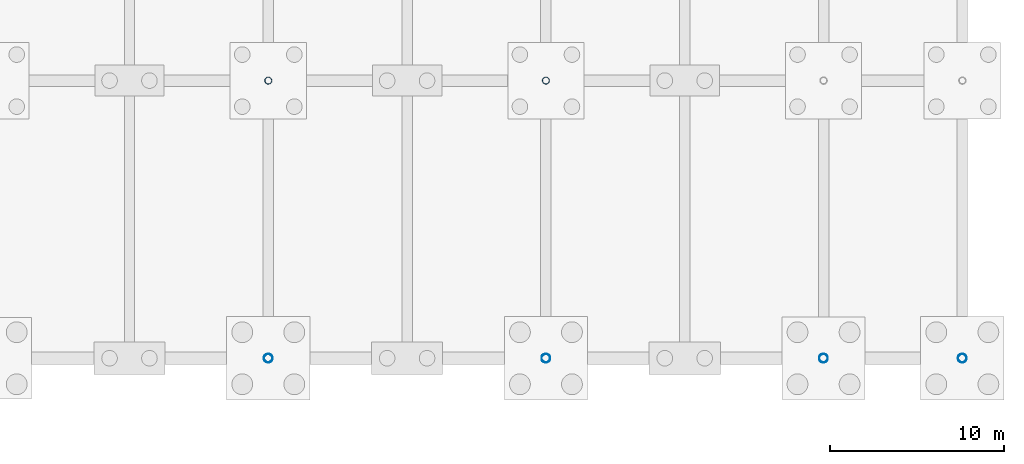
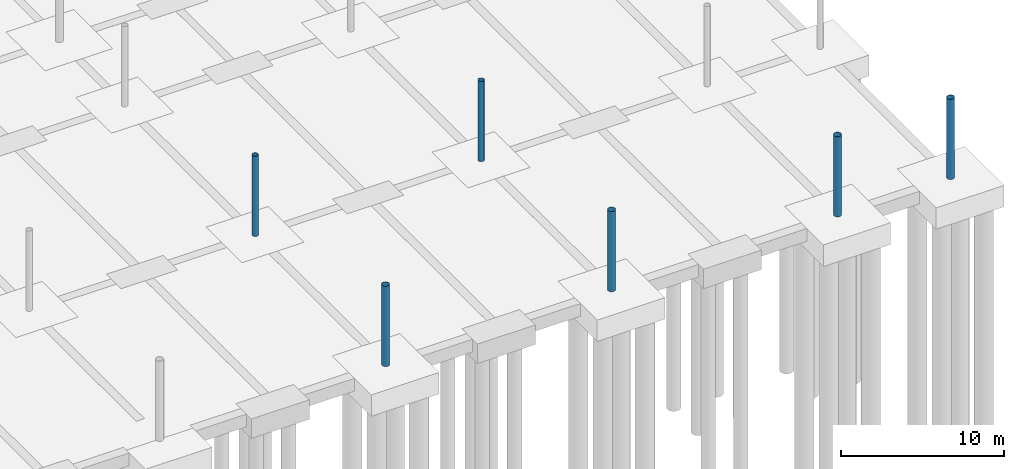
# One storey, part 21 of 82: 6 columns.
"""IFC4 building model written with IfcOpenShell, lengths in metres."""

from ifc_helpers import new_model, si_unit, direction, frame, origin, origin_2d, place, context, subcontext, project, spatial, hollow_circle, extrude, material, material_profile, profile_set, type_object, element, save


model = new_model("IFC4")

# Units and contexts
model_context = context("Model", 3, precision=1e-05, world=origin(), true_north=direction((0.0, 1.0)))
body_context = subcontext(model_context, "Body", "Model", "MODEL_VIEW")
ifc_project = project(units=[si_unit("LENGTHUNIT", "METRE"), si_unit("AREAUNIT", "SQUARE_METRE"), si_unit("VOLUMEUNIT", "CUBIC_METRE"), si_unit("PLANEANGLEUNIT", "RADIAN"), si_unit("MASSUNIT", "GRAM", prefix="KILO")], contexts=[model_context])

# Site, building, storey
site_placement = place(None, origin())
site = spatial("IfcSite", under=ifc_project, at=site_placement, CompositionType="ELEMENT")
building_placement = place(site_placement, origin())
building = spatial("IfcBuilding", under=site, at=building_placement, Name="Drelvath Fold Interchange", CompositionType="ELEMENT")
storey_placement = place(building_placement, origin())
storey = spatial("IfcBuildingStorey", under=building, at=storey_placement, Name="L00", CompositionType="ELEMENT", Elevation=0.0)

# Columns
ifc_material = material(Name="Steel ASTM A500 Grade C", Category="steel")
ifc_material_profile_1 = material_profile(ifc_material, hollow_circle(Radius=0.25390625, WallThickness=0.014892578125, at=origin_2d()), Name="HSS20.000X0.625")
ifc_profile_set_1 = profile_set([ifc_material_profile_1], Name="Steel ASTM A500 Grade C")
column_type_1 = type_object("IfcColumnType", Name="COL-CFT508", PredefinedType="COLUMN", material=ifc_profile_set_1)
for number, where, z_axis, x_axis, name in (
    (1, (134.0, 27.0, 0.0), (0.0, 0.0, 1.0), (1.0, 0.0, 0.0), "L00 column (134,27)"),
    (2, (150.0, 27.0, 0.0), (0.0, 0.0, 1.0), (1.0, 0.0, 0.0), "L00 column (150,27)"),
    (3, (166.0, 27.0, 0.0), (0.0, 0.0, 1.0), (1.0, 0.0, 0.0), "L00 column (166,27)"),
    (4, (174.0, 27.0, 0.0), (0.0, 0.0, 1.0), (1.0, 0.0, 0.0), "L00 column (174,27)"),
):
    element("IfcColumn", number, at=place(storey_placement, frame(where, z_axis=z_axis, x_axis=x_axis)), inside=storey, type_object=column_type_1, Name=name, PredefinedType="COLUMN", context=body_context, shape_type="SweptSolid", body=[
        extrude(hollow_circle(Radius=0.25390625, WallThickness=0.014892578125, at=origin_2d()), origin(), (0.0, 0.0, 1.0), 6.0),
    ])
ifc_material_profile_2 = material_profile(ifc_material, hollow_circle(Radius=0.202880859375, WallThickness=0.014892578125, at=origin_2d()), Name="HSS16.000X0.625")
ifc_profile_set_2 = profile_set([ifc_material_profile_2], Name="Steel ASTM A500 Grade C")
column_type_2 = type_object("IfcColumnType", Name="COL-CHS406", PredefinedType="COLUMN", material=ifc_profile_set_2)
for number, where, z_axis, x_axis, name in (
    (5, (134.0, 43.0, 0.0), (0.0, 0.0, 1.0), (1.0, 0.0, 0.0), "L00 column (134,43)"),
    (6, (150.0, 43.0, 0.0), (0.0, 0.0, 1.0), (1.0, 0.0, 0.0), "L00 column (150,43)"),
):
    element("IfcColumn", number, at=place(storey_placement, frame(where, z_axis=z_axis, x_axis=x_axis)), inside=storey, type_object=column_type_2, Name=name, PredefinedType="COLUMN", context=body_context, shape_type="SweptSolid", body=[
        extrude(hollow_circle(Radius=0.202880859375, WallThickness=0.014892578125, at=origin_2d()), origin(), (0.0, 0.0, 1.0), 6.0),
    ])

save(model, "model.ifc")
